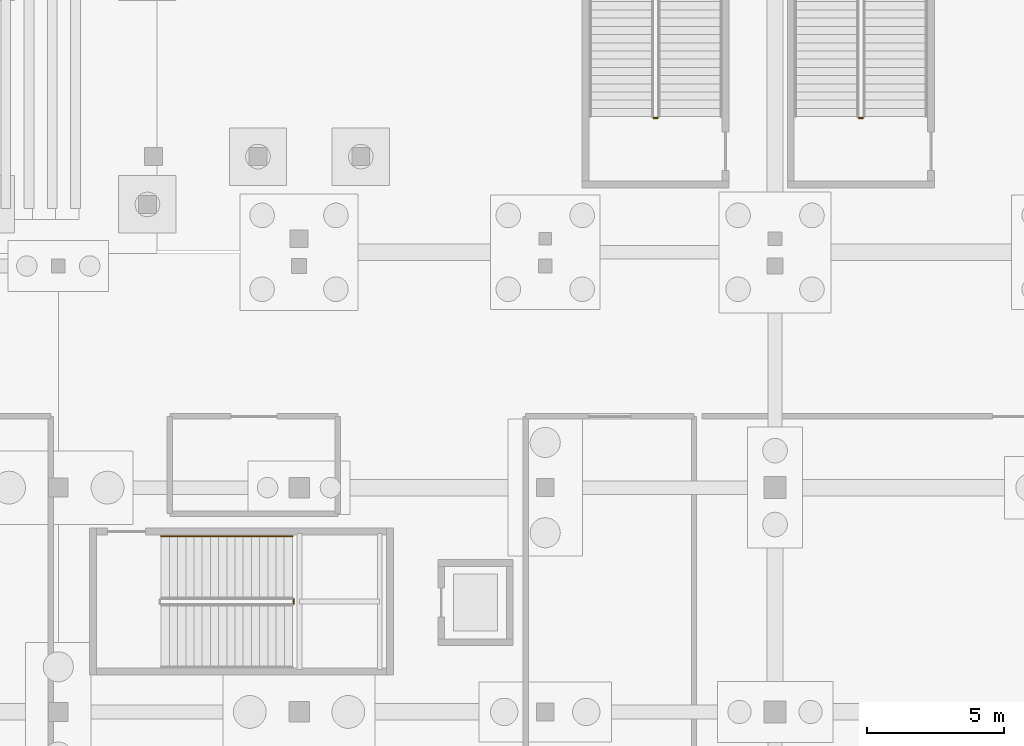
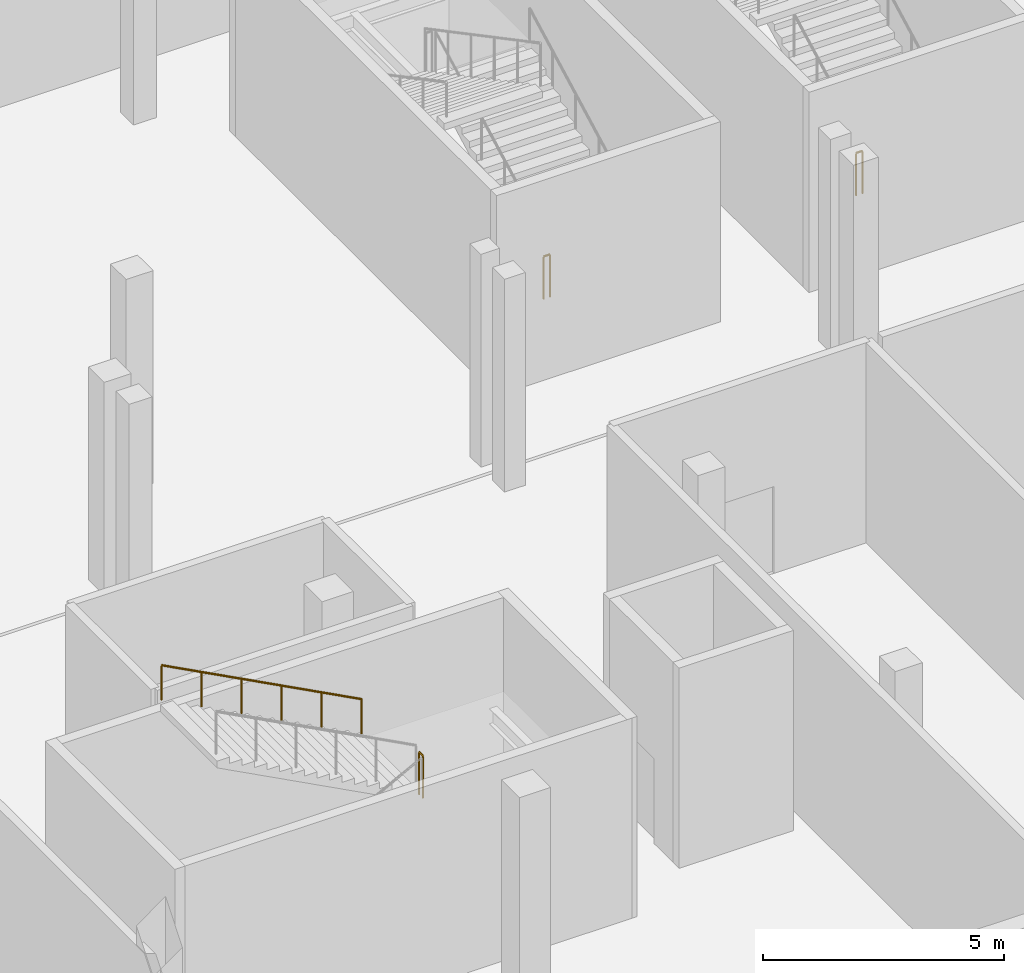
# One storey, part 76 of 89: 4 railings.
"""IFC4 building model written with IfcOpenShell, lengths in metres."""

import ifcopenshell
import ifcopenshell.guid

model = None  # the IFC model being written
_history = None  # IfcOwnerHistory: only IFC2X3 demands one
_inside = {}  # id of a spatial element -> (the spatial element, [elements in it])
_under = {}  # id of a project, library or spatial element -> (it, [spatial elements below it])
_declared = {}  # id of a project -> (the project, [libraries it declares])
_typed = {}  # id of a type object -> (the type object, [elements of that type])
_made_of = {}  # id of a material, layer set ... -> (it, [elements and type objects made of it])


def new_model(schema):
    """Start an empty IFC model of exactly this schema.

    Asked for "IFC4X3", IfcOpenShell would pick the latest addendum, in which some entities
    have other attributes; the version numbers below select the first issue.
    IFC2X3 requires an IfcOwnerHistory on every rooted entity: one is made here for all.
    """
    global model, _history
    if schema == "IFC4X3":
        model = ifcopenshell.file(schema_version=(4, 3, 0, 0))
    else:
        model = ifcopenshell.file(schema=schema)
    _inside.clear()
    _under.clear()
    _declared.clear()
    _typed.clear()
    _made_of.clear()
    _history = None
    if model.schema == "IFC2X3":
        org = make("IfcOrganization", Name="unknown")
        user = make(
            "IfcPersonAndOrganization",
            ThePerson=make("IfcPerson", FamilyName="unknown"),
            TheOrganization=org,
        )
        app = make(
            "IfcApplication",
            ApplicationDeveloper=org,
            Version="unknown",
            ApplicationFullName="unknown",
            ApplicationIdentifier="unknown",
        )
        _history = make(
            "IfcOwnerHistory",
            OwningUser=user,
            OwningApplication=app,
            ChangeAction="ADDED",
            CreationDate=0,
        )
    return model


def make(cls, **values):
    """One entity of the class cls with the attributes given. An attribute that is None is left unset."""
    return model.create_entity(
        cls, **{name: value for name, value in values.items() if value is not None}
    )


def rooted(cls, **values):
    """An entity with a GlobalId (a new one), such as an element, a storey or a relation."""
    return make(cls, GlobalId=ifcopenshell.guid.new(), OwnerHistory=_history, **values)


def si_unit(unit_type, name, prefix=None):
    """IfcSIUnit, for example si_unit("LENGTHUNIT", "METRE", prefix="MILLI")."""
    return make("IfcSIUnit", UnitType=unit_type, Prefix=prefix, Name=name)


def assignment(units):
    """IfcUnitAssignment: the units of a project."""
    return None if units is None else make("IfcUnitAssignment", Units=units)


def point(xyz):
    """IfcCartesianPoint."""
    return None if xyz is None else make("IfcCartesianPoint", Coordinates=xyz)


def direction(xyz):
    """IfcDirection."""
    return None if xyz is None else make("IfcDirection", DirectionRatios=xyz)


def frame(location, z_axis=None, x_axis=None):
    """IfcAxis2Placement3D, a coordinate frame: its origin and axes. An axis left out is left unset."""
    return make(
        "IfcAxis2Placement3D",
        Location=point(location),
        Axis=direction(z_axis),
        RefDirection=direction(x_axis),
    )


def frame_2d(location, x_axis=None):
    """IfcAxis2Placement2D, a coordinate frame in the plane: its origin and x axis."""
    return make(
        "IfcAxis2Placement2D", Location=point(location), RefDirection=direction(x_axis)
    )


def origin():
    """The frame at (0, 0, 0) with its axes left unset."""
    return frame((0.0, 0.0, 0.0))


def origin_2d():
    """The frame at (0, 0) in the plane with its x axis left unset."""
    return frame_2d((0.0, 0.0))


def place(relative_to, where):
    """IfcLocalPlacement: puts the frame where relative to a parent placement (None: the world)."""
    return make(
        "IfcLocalPlacement", PlacementRelTo=relative_to, RelativePlacement=where
    )


def context(
    kind, dimensions, precision=None, world=None, true_north=None, identifier=None
):
    """IfcGeometricRepresentationContext, for example the 3D "Model" context."""
    return make(
        "IfcGeometricRepresentationContext",
        ContextIdentifier=identifier,
        ContextType=kind,
        CoordinateSpaceDimension=dimensions,
        Precision=precision,
        WorldCoordinateSystem=world,
        TrueNorth=true_north,
    )


def subcontext(parent, identifier, kind, view, scale=None):
    """IfcGeometricRepresentationSubContext, for example "Body" below "Model"."""
    return make(
        "IfcGeometricRepresentationSubContext",
        ContextIdentifier=identifier,
        ContextType=kind,
        ParentContext=parent,
        TargetScale=scale,
        TargetView=view,
    )


def project(units=None, contexts=None):
    """IfcProject with its units and contexts."""
    return rooted(
        "IfcProject",
        Name="project",
        RepresentationContexts=contexts,
        UnitsInContext=assignment(units),
    )


def spatial(cls, under=None, at=None, **own):
    """A site, building, storey or space (cls), placed at a placement, below another one or the project."""
    s = rooted(cls, ObjectPlacement=at, **own)
    if under is not None:
        _under.setdefault(under.id(), (under, []))[1].append(s)
    return s


def profile(cls, at=None, kind="AREA", **sizes):
    """A parametric profile (cls). Its sizes go by their IFC names, for example OverallWidth=200.0."""
    return make(cls, ProfileType=kind, Position=at, **sizes)


def circle(**sizes):
    """IfcCircleProfileDef."""
    return profile("IfcCircleProfileDef", **sizes)


def extrude(swept, where, along, depth):
    """IfcExtrudedAreaSolid: the profile swept, set in the frame where, extruded along a direction by depth."""
    return make(
        "IfcExtrudedAreaSolid",
        SweptArea=swept,
        Position=where,
        ExtrudedDirection=direction(along),
        Depth=depth,
    )


def shape(context_of_items, identifier, shape_type, items):
    """IfcShapeRepresentation: the items that make up one representation, for example the "Body"."""
    return make(
        "IfcShapeRepresentation",
        ContextOfItems=context_of_items,
        RepresentationIdentifier=identifier,
        RepresentationType=shape_type,
        Items=items,
    )


def material(Name=None, Category=None):
    """IfcMaterial."""
    return make("IfcMaterial", Name=Name, Category=Category)


def made_of(thing, what):
    """Note that an element or type object is made of a material, layer set ...; save() writes the relation."""
    if what is not None:
        _made_of.setdefault(what.id(), (what, []))[1].append(thing)
    return thing


def type_object(cls, material=None, **own):
    """A type object (cls), such as IfcWallType, which elements share."""
    return made_of(rooted(cls, **own), material)


def element(
    cls,
    number,
    at=None,
    inside=None,
    cuts=None,
    type_object=None,
    material=None,
    context=None,
    identifier="Body",
    shape_type=None,
    held_by="IfcProductDefinitionShape",
    body=None,
    shapes=None,
    **own,
):
    """One element of the class cls, such as IfcWall. Its Tag is "e" and its number.

    at: its placement. inside: the storey or other place that contains it. cuts: it is an
    opening in that element (IfcRelVoidsElement). A single representation is given by context,
    identifier, shape_type and body (its items); several are given by shapes. held_by: the class
    of the entity that holds the representations. save() writes the other relations.
    """
    e = rooted(cls, Tag="e%d" % number, ObjectPlacement=at, **own)
    if body is not None:
        shapes = [shape(context, identifier, shape_type, body)]
    if shapes is not None:
        e.Representation = make(held_by, Representations=shapes)
    if inside is not None:
        _inside.setdefault(inside.id(), (inside, []))[1].append(e)
    if cuts is not None:
        rooted(
            "IfcRelVoidsElement", RelatingBuildingElement=cuts, RelatedOpeningElement=e
        )
    if type_object is not None:
        _typed.setdefault(type_object.id(), (type_object, []))[1].append(e)
    return made_of(e, material)


def aggregate(whole, parts):
    """IfcRelAggregates: a whole, such as a stair, and the parts it consists of."""
    return rooted("IfcRelAggregates", RelatingObject=whole, RelatedObjects=parts)


def save(model, path):
    """Write the relations noted so far, then the file.

    IfcRelAggregates (storeys below a building ...), IfcRelContainedInSpatialStructure (elements
    in a storey), IfcRelDefinesByType, IfcRelAssociatesMaterial and IfcRelDeclares: one each for
    every whole, place, type object, material and project.
    """
    for whole, parts in _under.values():
        aggregate(whole, parts)
    for where, things in _inside.values():
        rooted(
            "IfcRelContainedInSpatialStructure",
            RelatedElements=things,
            RelatingStructure=where,
        )
    for kind, things in _typed.values():
        rooted("IfcRelDefinesByType", RelatedObjects=things, RelatingType=kind)
    for what, things in _made_of.values():
        rooted("IfcRelAssociatesMaterial", RelatedObjects=things, RelatingMaterial=what)
    for by, libraries in _declared.values():
        rooted("IfcRelDeclares", RelatingContext=by, RelatedDefinitions=libraries)
    model.write(path)


model = new_model("IFC4")

# Units and contexts
model_context = context("Model", 3, precision=1e-05, world=origin(), true_north=direction((0.0, 1.0)))
body_context = subcontext(model_context, "Body", "Model", "MODEL_VIEW")
ifc_project = project(units=[si_unit("LENGTHUNIT", "METRE"), si_unit("AREAUNIT", "SQUARE_METRE"), si_unit("VOLUMEUNIT", "CUBIC_METRE"), si_unit("PLANEANGLEUNIT", "RADIAN"), si_unit("MASSUNIT", "GRAM", prefix="KILO")], contexts=[model_context])

# Site, building, storey
site_placement = place(None, origin())
site = spatial("IfcSite", under=ifc_project, at=site_placement, CompositionType="ELEMENT")
building_placement = place(site_placement, origin())
building = spatial("IfcBuilding", under=site, at=building_placement, Name="Koshinbarg Plaza Stadium", CompositionType="ELEMENT")
storey_placement = place(building_placement, origin())
storey = spatial("IfcBuildingStorey", under=building, at=storey_placement, Name="L00", CompositionType="ELEMENT", Elevation=0.0)

# Railings
ifc_material_1 = material(Name="Galvanized painted steel guardrail", Category="steel")
railing_type_1 = type_object("IfcRailingType", Name="RL-GUARD-1100", PredefinedType="GUARDRAIL", material=ifc_material_1)
railing_1_placement = place(storey_placement, frame((180.2099609375, 12.159912109375, 2.699951171875)))
element("IfcRailing", 1, at=railing_1_placement, inside=storey, type_object=railing_type_1, Name="L00 C14 stair guard 2", PredefinedType="GUARDRAIL", context=body_context, shape_type="SweptSolid", body=[
    extrude(circle(Radius=0.02392578125, at=origin_2d()), frame((0.0, 0.0, 1.076171875), z_axis=(0.0, 1.0, 0.0), x_axis=(-1.0, 0.0, 0.0)), (0.0, 0.0, 1.0), 0.150146484375),
    extrude(circle(Radius=0.02099609375, at=origin_2d()), origin(), (0.0, 0.0, 1.0), 1.052001953125),
    extrude(circle(Radius=0.02099609375, at=origin_2d()), frame((0.0, 0.150146484375, 0.0)), (0.0, 0.0, 1.0), 1.052001953125),
])
for number, where, name in (
    (2, (201.010009765625, 29.909912109375, 0.0), "L00 VX07 stair guard 4"),
    (3, (193.510009765625, 29.909912109375, 0.0), "L00 VL05 stair guard 4"),
):
    element("IfcRailing", number, at=place(storey_placement, frame(where)), inside=storey, type_object=railing_type_1, Name=name, PredefinedType="GUARDRAIL", context=body_context, shape_type="SweptSolid", body=[
        extrude(circle(Radius=0.02392578125, at=origin_2d()), frame((0.0, 0.0, 1.076171875), z_axis=(-1.0, 0.0, 0.0), x_axis=(0.0, -1.0, 0.0)), (0.0, 0.0, 1.0), 0.14990234375),
        extrude(circle(Radius=0.02099609375, at=origin_2d()), origin(), (0.0, 0.0, 1.0), 1.052001953125),
        extrude(circle(Radius=0.02099609375, at=origin_2d()), frame((-0.14990234375, 0.0, 0.0)), (0.0, 0.0, 1.0), 1.052001953125),
    ])
ifc_material_2 = material(Name="Brushed stainless steel handrail", Category="steel")
railing_type_2 = type_object("IfcRailingType", Name="RL-HAND-900", PredefinedType="HANDRAIL", material=ifc_material_2)
railing_2_placement = place(storey_placement, frame((180.159912109375, 14.6201171875, 2.85888671875)))
element("IfcRailing", 4, at=railing_2_placement, inside=storey, type_object=railing_type_2, Name="L00 C14 stair handrail 2", PredefinedType="HANDRAIL", context=body_context, shape_type="SweptSolid", body=[
    extrude(circle(Radius=0.02392578125, at=origin_2d()), frame((0.0, 0.0, 0.8759765625), z_axis=(-0.883792290195, 0.0, 0.467879458614), x_axis=(0.0, -1.0, 0.0)), (0.0, 0.0, 1.0), 5.430908203125),
    extrude(circle(Radius=0.02099609375, at=origin_2d()), origin(), (0.0, 0.0, 1.0), 0.851806640625),
    extrude(circle(Radius=0.02099609375, at=origin_2d()), frame((-0.9599609375, 0.0, 0.50830078125)), (0.0, 0.0, 1.0), 0.851806640625),
    extrude(circle(Radius=0.02099609375, at=origin_2d()), frame((-1.919921875, 0.0, 1.016357421875)), (0.0, 0.0, 1.0), 0.851806640625),
    extrude(circle(Radius=0.02099609375, at=origin_2d()), frame((-2.8798828125, 0.0, 1.524658203125)), (0.0, 0.0, 1.0), 0.851806640625),
    extrude(circle(Radius=0.02099609375, at=origin_2d()), frame((-3.83984375, 0.0, 2.03271484375)), (0.0, 0.0, 1.0), 0.851806640625),
    extrude(circle(Radius=0.02099609375, at=origin_2d()), frame((-4.7998046875, 0.0, 2.541015625)), (0.0, 0.0, 1.0), 0.851806640625),
])

save(model, "model.ifc")
